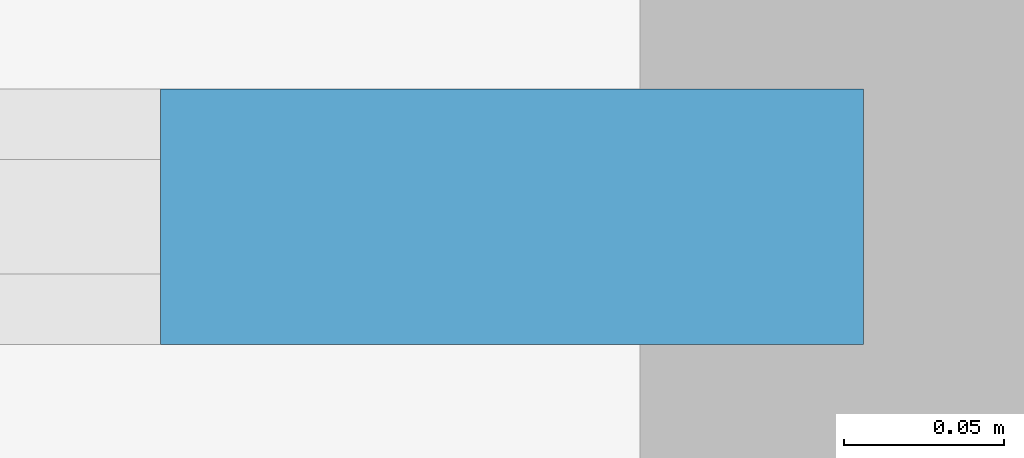
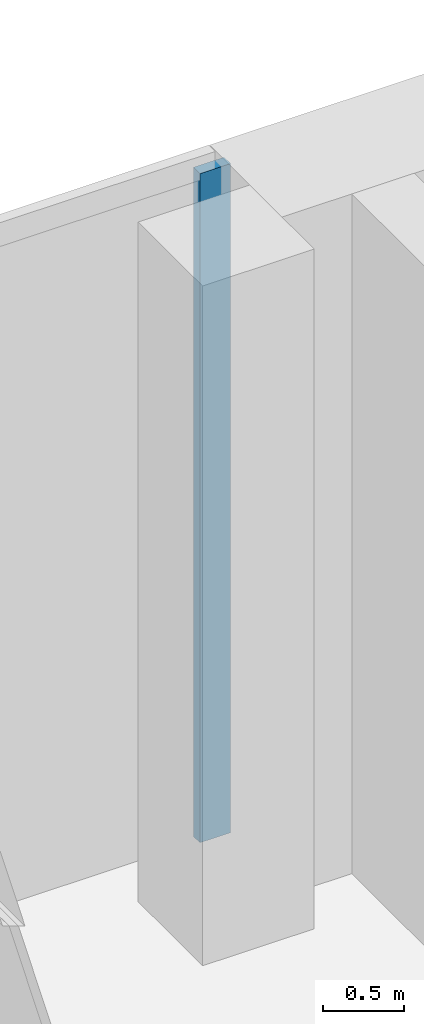
# One storey, part 4 of 14: 1 member, 1 element without a shape of its own.
"""IFC4 building model written with IfcOpenShell, lengths in metres."""

from ifc_helpers import new_model, si_unit, direction, frame, origin, origin_2d, place, context, subcontext, project, spatial, rectangle, extrude, material, material_profile, profile_set, type_object, element, aggregate, save


model = new_model("IFC4")

# Units and contexts
model_context = context("Model", 3, precision=1e-05, world=origin(), true_north=direction((0.0, 1.0)))
body_context = subcontext(model_context, "Body", "Model", "MODEL_VIEW")
ifc_project = project(units=[si_unit("LENGTHUNIT", "METRE"), si_unit("AREAUNIT", "SQUARE_METRE"), si_unit("VOLUMEUNIT", "CUBIC_METRE"), si_unit("PLANEANGLEUNIT", "RADIAN"), si_unit("MASSUNIT", "GRAM", prefix="KILO")], contexts=[model_context])

# Site, building, storey
site_placement = place(None, origin())
site = spatial("IfcSite", under=ifc_project, at=site_placement, CompositionType="ELEMENT")
building_placement = place(site_placement, origin())
building = spatial("IfcBuilding", under=site, at=building_placement, Name="Perihelion Cross Residences", CompositionType="ELEMENT")
storey_placement = place(building_placement, frame((0.0, 0.0, 285.0)))
storey = spatial("IfcBuildingStorey", under=building, at=storey_placement, Name="L73", CompositionType="ELEMENT", Elevation=285.0)

# Curtain wall, member
ifc_material_1 = material(Name="Bronze anodised aluminium, tinted glazing", Category="aluminium")
curtain_wall_type = type_object("IfcCurtainWallType", Name="CW3", PredefinedType="NOTDEFINED", material=ifc_material_1)
curtain_wall_placement = place(storey_placement, origin())
curtain_wall = element("IfcCurtainWall", 1, at=curtain_wall_placement, inside=storey, type_object=curtain_wall_type, Name="Curtain wall CW3 L73 east side north bay 1", PredefinedType="NOTDEFINED")
ifc_material_2 = material(Name="Bronze anodised aluminium", Category="aluminium")
ifc_material_profile = material_profile(ifc_material_2, rectangle(XDim=0.080078125, YDim=0.219970703125, at=origin_2d()), Name="CW3 mullion")
ifc_profile_set = profile_set([ifc_material_profile], Name="Bronze anodised aluminium")
member_type = type_object("IfcMemberType", Name="CW3 mullion", PredefinedType="MULLION", material=ifc_profile_set)
member_placement = place(storey_placement, frame((21.06005859375, 8.89990234375, 0.0), z_axis=(0.0, 0.0, 1.0), x_axis=(0.0, -1.0, 0.0)))
member = element("IfcMember", 2, at=member_placement, type_object=member_type, Name="CW3 mullion 1", PredefinedType="MULLION", context=body_context, shape_type="SweptSolid", body=[
    extrude(rectangle(XDim=0.080078125, YDim=0.219970703125, at=origin_2d()), origin(), (0.0, 0.0, 1.0), 5.070068359375),
])
aggregate(curtain_wall, [member])

save(model, "model.ifc")
